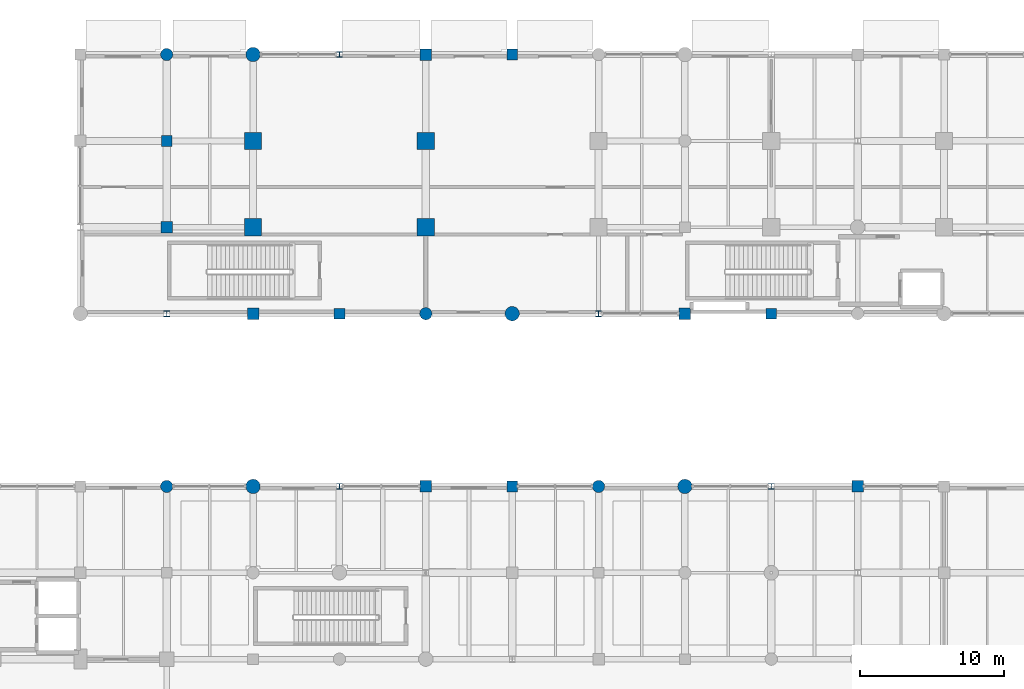
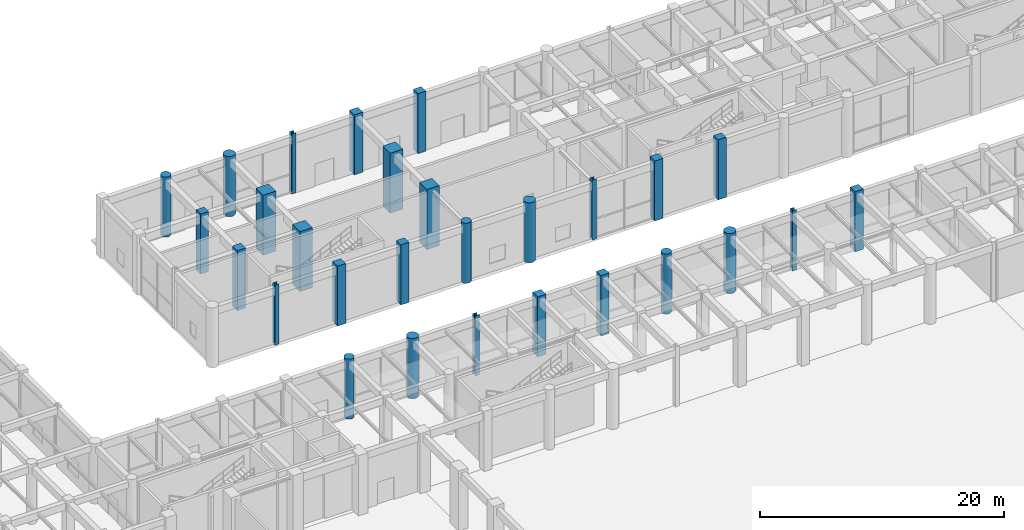
# One storey, part 14 of 106: 28 columns.
"""IFC4 building model written with IfcOpenShell, lengths in metres."""

from ifc_helpers import new_model, si_unit, direction, frame, origin, origin_2d, place, context, subcontext, project, spatial, rectangle, circle, i_section, extrude, material, material_profile, profile_set, type_object, element, save


model = new_model("IFC4")

# Units and contexts
model_context = context("Model", 3, precision=1e-05, world=origin(), true_north=direction((0.0, 1.0)))
body_context = subcontext(model_context, "Body", "Model", "MODEL_VIEW")
ifc_project = project(units=[si_unit("LENGTHUNIT", "METRE"), si_unit("AREAUNIT", "SQUARE_METRE"), si_unit("VOLUMEUNIT", "CUBIC_METRE"), si_unit("PLANEANGLEUNIT", "RADIAN"), si_unit("MASSUNIT", "GRAM", prefix="KILO"), si_unit("THERMODYNAMICTEMPERATUREUNIT", "KELVIN"), si_unit("POWERUNIT", "WATT")], contexts=[model_context])

# Site, building, storey
site_placement = place(None, origin())
site = spatial("IfcSite", under=ifc_project, at=site_placement, CompositionType="ELEMENT")
building_placement = place(site_placement, origin())
building = spatial("IfcBuilding", under=site, at=building_placement, Name="Phaisarnlok Congress Hotel", CompositionType="ELEMENT")
storey_placement = place(building_placement, origin())
storey = spatial("IfcBuildingStorey", under=building, at=storey_placement, Name="L00", CompositionType="ELEMENT", Elevation=0.0)

# Columns
ifc_material_1 = material(Name="Concrete C50/60", Category="concrete")
ifc_material_profile_1 = material_profile(ifc_material_1, rectangle(XDim=1.199951171875, YDim=1.199951171875, at=origin_2d()), Name="RC 1200x1200")
ifc_profile_set_1 = profile_set([ifc_material_profile_1], Name="Concrete C50/60")
column_type_1 = type_object("IfcColumnType", Name="COL-RC-1200", PredefinedType="COLUMN", material=ifc_profile_set_1)
for number, where, z_axis, x_axis, name in (
    (1, (72.0, 114.0, 0.0), (0.0, 0.0, 1.0), (1.0, 0.0, 0.0), "Column C-11 (L00)"),
    (2, (72.0, 120.0, 0.0), (0.0, 0.0, 1.0), (1.0, 0.0, 0.0), "Column C-11 (L00)"),
    (3, (84.0, 114.0, 0.0), (0.0, 0.0, 1.0), (1.0, 0.0, 0.0), "Column C-11 (L00)"),
    (4, (84.0, 120.0, 0.0), (0.0, 0.0, 1.0), (1.0, 0.0, 0.0), "Column C-11 (L00)"),
):
    element("IfcColumn", number, at=place(storey_placement, frame(where, z_axis=z_axis, x_axis=x_axis)), inside=storey, type_object=column_type_1, Name=name, PredefinedType="COLUMN", context=body_context, shape_type="SweptSolid", body=[
        extrude(rectangle(XDim=1.199951171875, YDim=1.199951171875, at=origin_2d()), origin(), (0.0, 0.0, 1.0), 6.0),
    ])
ifc_material_profile_2 = material_profile(ifc_material_1, rectangle(XDim=0.75, YDim=0.75, at=origin_2d()), Name="RC 750x750")
ifc_profile_set_2 = profile_set([ifc_material_profile_2], Name="Concrete C50/60")
column_type_2 = type_object("IfcColumnType", Name="COL-RC-750", PredefinedType="COLUMN", material=ifc_profile_set_2)
for number, where, z_axis, x_axis, name in (
    (5, (66.0, 120.0, 0.0), (0.0, 0.0, 1.0), (1.0, 0.0, 0.0), "Column C-06 (L00)"),
    (6, (78.0, 108.0, 0.0), (0.0, 0.0, 1.0), (1.0, 0.0, 0.0), "Column C-06 (L00)"),
    (7, (90.0, 96.0, 0.0), (0.0, 0.0, 1.0), (1.0, 0.0, 0.0), "Column C-06 (L00)"),
    (8, (108.0, 108.0, 0.0), (0.0, 0.0, 1.0), (1.0, 0.0, 0.0), "Column C-06 (L00)"),
):
    element("IfcColumn", number, at=place(storey_placement, frame(where, z_axis=z_axis, x_axis=x_axis)), inside=storey, type_object=column_type_2, Name=name, PredefinedType="COLUMN", context=body_context, shape_type="SweptSolid", body=[
        extrude(rectangle(XDim=0.75, YDim=0.75, at=origin_2d()), origin(), (0.0, 0.0, 1.0), 6.0),
    ])
ifc_material_profile_3 = material_profile(ifc_material_1, rectangle(XDim=0.75, YDim=0.75, at=origin_2d()), Name="RC 750x750")
ifc_profile_set_3 = profile_set([ifc_material_profile_3], Name="Concrete C50/60")
column_type_3 = type_object("IfcColumnType", Name="COL-RC-750-EXT", PredefinedType="COLUMN", material=ifc_profile_set_3)
column_1_placement = place(storey_placement, frame((90.0, 126.0, 0.0), z_axis=(0.0, 0.0, 1.0), x_axis=(1.0, 0.0, 0.0)))
element("IfcColumn", 9, at=column_1_placement, inside=storey, type_object=column_type_3, Name="Column C-06E (L00)", PredefinedType="COLUMN", context=body_context, shape_type="SweptSolid", body=[
    extrude(rectangle(XDim=0.75, YDim=0.75, at=origin_2d()), origin(), (0.0, 0.0, 1.0), 6.0),
])
ifc_material_profile_4 = material_profile(ifc_material_1, rectangle(XDim=0.800048828125, YDim=0.800048828125, at=origin_2d()), Name="RC 800x800")
ifc_profile_set_4 = profile_set([ifc_material_profile_4], Name="Concrete C50/60")
column_type_4 = type_object("IfcColumnType", Name="COL-RC-800", PredefinedType="COLUMN", material=ifc_profile_set_4)
for number, where, z_axis, x_axis, name in (
    (10, (66.0, 114.0, 0.0), (0.0, 0.0, 1.0), (1.0, 0.0, 0.0), "Column C-07 (L00)"),
    (11, (72.0, 108.0, 0.0), (0.0, 0.0, 1.0), (1.0, 0.0, 0.0), "Column C-07 (L00)"),
    (12, (84.0, 96.0, 0.0), (0.0, 0.0, 1.0), (1.0, 0.0, 0.0), "Column C-07 (L00)"),
    (13, (102.0, 108.0, 0.0), (0.0, 0.0, 1.0), (1.0, 0.0, 0.0), "Column C-07 (L00)"),
    (14, (114.0, 96.0, 0.0), (0.0, 0.0, 1.0), (1.0, 0.0, 0.0), "Column C-07 (L00)"),
):
    element("IfcColumn", number, at=place(storey_placement, frame(where, z_axis=z_axis, x_axis=x_axis)), inside=storey, type_object=column_type_4, Name=name, PredefinedType="COLUMN", context=body_context, shape_type="SweptSolid", body=[
        extrude(rectangle(XDim=0.800048828125, YDim=0.800048828125, at=origin_2d()), origin(), (0.0, 0.0, 1.0), 6.0),
    ])
ifc_material_profile_5 = material_profile(ifc_material_1, rectangle(XDim=0.800048828125, YDim=0.800048828125, at=origin_2d()), Name="RC 800x800")
ifc_profile_set_5 = profile_set([ifc_material_profile_5], Name="Concrete C50/60")
column_type_5 = type_object("IfcColumnType", Name="COL-RC-800-EXT", PredefinedType="COLUMN", material=ifc_profile_set_5)
column_2_placement = place(storey_placement, frame((84.0, 126.0, 0.0), z_axis=(0.0, 0.0, 1.0), x_axis=(1.0, 0.0, 0.0)))
element("IfcColumn", 15, at=column_2_placement, inside=storey, type_object=column_type_5, Name="Column C-07E (L00)", PredefinedType="COLUMN", context=body_context, shape_type="SweptSolid", body=[
    extrude(rectangle(XDim=0.800048828125, YDim=0.800048828125, at=origin_2d()), origin(), (0.0, 0.0, 1.0), 6.0),
])
ifc_material_profile_6 = material_profile(ifc_material_1, circle(Radius=0.5, at=origin_2d()), Name="RCC D1000")
ifc_profile_set_6 = profile_set([ifc_material_profile_6], Name="Concrete C50/60")
column_type_6 = type_object("IfcColumnType", Name="COL-RCC-1000", PredefinedType="COLUMN", material=ifc_profile_set_6)
for number, where, z_axis, x_axis, name in (
    (16, (72.0, 96.0, 0.0), (0.0, 0.0, 1.0), (1.0, 0.0, 0.0), "Column C-15 (L00)"),
    (17, (90.0, 108.0, 0.0), (0.0, 0.0, 1.0), (1.0, 0.0, 0.0), "Column C-15 (L00)"),
    (18, (102.0, 96.0, 0.0), (0.0, 0.0, 1.0), (1.0, 0.0, 0.0), "Column C-15 (L00)"),
):
    element("IfcColumn", number, at=place(storey_placement, frame(where, z_axis=z_axis, x_axis=x_axis)), inside=storey, type_object=column_type_6, Name=name, PredefinedType="COLUMN", context=body_context, shape_type="SweptSolid", body=[
        extrude(circle(Radius=0.5, at=origin_2d()), origin(), (0.0, 0.0, 1.0), 6.0),
    ])
ifc_material_profile_7 = material_profile(ifc_material_1, circle(Radius=0.5, at=origin_2d()), Name="RCC D1000")
ifc_profile_set_7 = profile_set([ifc_material_profile_7], Name="Concrete C50/60")
column_type_7 = type_object("IfcColumnType", Name="COL-RCC-1000-EXT", PredefinedType="COLUMN", material=ifc_profile_set_7)
column_3_placement = place(storey_placement, frame((72.0, 126.0, 0.0), z_axis=(0.0, 0.0, 1.0), x_axis=(1.0, 0.0, 0.0)))
element("IfcColumn", 19, at=column_3_placement, inside=storey, type_object=column_type_7, Name="Column C-15E (L00)", PredefinedType="COLUMN", context=body_context, shape_type="SweptSolid", body=[
    extrude(circle(Radius=0.5, at=origin_2d()), origin(), (0.0, 0.0, 1.0), 6.0),
])
ifc_material_profile_8 = material_profile(ifc_material_1, circle(Radius=0.425048828125, at=origin_2d()), Name="RCC D850")
ifc_profile_set_8 = profile_set([ifc_material_profile_8], Name="Concrete C50/60")
column_type_8 = type_object("IfcColumnType", Name="COL-RCC-850", PredefinedType="COLUMN", material=ifc_profile_set_8)
for number, where, z_axis, x_axis, name in (
    (20, (66.0, 96.0, 0.0), (0.0, 0.0, 1.0), (1.0, 0.0, 0.0), "Column C-14 (L00)"),
    (21, (84.0, 108.0, 0.0), (0.0, 0.0, 1.0), (1.0, 0.0, 0.0), "Column C-14 (L00)"),
    (22, (96.0, 96.0, 0.0), (0.0, 0.0, 1.0), (1.0, 0.0, 0.0), "Column C-14 (L00)"),
):
    element("IfcColumn", number, at=place(storey_placement, frame(where, z_axis=z_axis, x_axis=x_axis)), inside=storey, type_object=column_type_8, Name=name, PredefinedType="COLUMN", context=body_context, shape_type="SweptSolid", body=[
        extrude(circle(Radius=0.425048828125, at=origin_2d()), origin(), (0.0, 0.0, 1.0), 6.0),
    ])
ifc_material_profile_9 = material_profile(ifc_material_1, circle(Radius=0.425048828125, at=origin_2d()), Name="RCC D850")
ifc_profile_set_9 = profile_set([ifc_material_profile_9], Name="Concrete C50/60")
column_type_9 = type_object("IfcColumnType", Name="COL-RCC-850-EXT", PredefinedType="COLUMN", material=ifc_profile_set_9)
column_4_placement = place(storey_placement, frame((66.0, 126.0, 0.0), z_axis=(0.0, 0.0, 1.0), x_axis=(1.0, 0.0, 0.0)))
element("IfcColumn", 23, at=column_4_placement, inside=storey, type_object=column_type_9, Name="Column C-14E (L00)", PredefinedType="COLUMN", context=body_context, shape_type="SweptSolid", body=[
    extrude(circle(Radius=0.425048828125, at=origin_2d()), origin(), (0.0, 0.0, 1.0), 6.0),
])
ifc_material_2 = material(Name="Steel S355", Category="steel")
ifc_material_profile_10 = material_profile(ifc_material_2, i_section(OverallWidth=0.40087890625, OverallDepth=0.39892578125, WebThickness=0.0185546875, FlangeThickness=0.030029296875, FilletRadius=0.014892578125, at=origin_2d()), Name="HD 400x314")
ifc_profile_set_10 = profile_set([ifc_material_profile_10], Name="Steel S355")
column_type_10 = type_object("IfcColumnType", Name="COL-STL-HD314", PredefinedType="COLUMN", material=ifc_profile_set_10)
for number, where, z_axis, x_axis, name in (
    (24, (66.0, 108.0, 0.0), (0.0, 0.0, 1.0), (1.0, 0.0, 0.0), "Column SC-04 (L00)"),
    (25, (78.0, 96.0, 0.0), (0.0, 0.0, 1.0), (1.0, 0.0, 0.0), "Column SC-04 (L00)"),
    (26, (96.0, 108.0, 0.0), (0.0, 0.0, 1.0), (1.0, 0.0, 0.0), "Column SC-04 (L00)"),
    (27, (108.0, 96.0, 0.0), (0.0, 0.0, 1.0), (1.0, 0.0, 0.0), "Column SC-04 (L00)"),
):
    element("IfcColumn", number, at=place(storey_placement, frame(where, z_axis=z_axis, x_axis=x_axis)), inside=storey, type_object=column_type_10, Name=name, PredefinedType="COLUMN", context=body_context, shape_type="SweptSolid", body=[
        extrude(i_section(OverallWidth=0.40087890625, OverallDepth=0.39892578125, WebThickness=0.0185546875, FlangeThickness=0.030029296875, FilletRadius=0.014892578125, at=origin_2d()), origin(), (0.0, 0.0, 1.0), 6.0),
    ])
ifc_material_profile_11 = material_profile(ifc_material_2, i_section(OverallWidth=0.40087890625, OverallDepth=0.39892578125, WebThickness=0.0185546875, FlangeThickness=0.030029296875, FilletRadius=0.014892578125, at=origin_2d()), Name="HD 400x314")
ifc_profile_set_11 = profile_set([ifc_material_profile_11], Name="Steel S355")
column_type_11 = type_object("IfcColumnType", Name="COL-STL-HD314-EXT", PredefinedType="COLUMN", material=ifc_profile_set_11)
column_5_placement = place(storey_placement, frame((78.0, 126.0, 0.0), z_axis=(0.0, 0.0, 1.0), x_axis=(1.0, 0.0, 0.0)))
element("IfcColumn", 28, at=column_5_placement, inside=storey, type_object=column_type_11, Name="Column SC-04E (L00)", PredefinedType="COLUMN", context=body_context, shape_type="SweptSolid", body=[
    extrude(i_section(OverallWidth=0.40087890625, OverallDepth=0.39892578125, WebThickness=0.0185546875, FlangeThickness=0.030029296875, FilletRadius=0.014892578125, at=origin_2d()), origin(), (0.0, 0.0, 1.0), 6.0),
])

save(model, "model.ifc")
